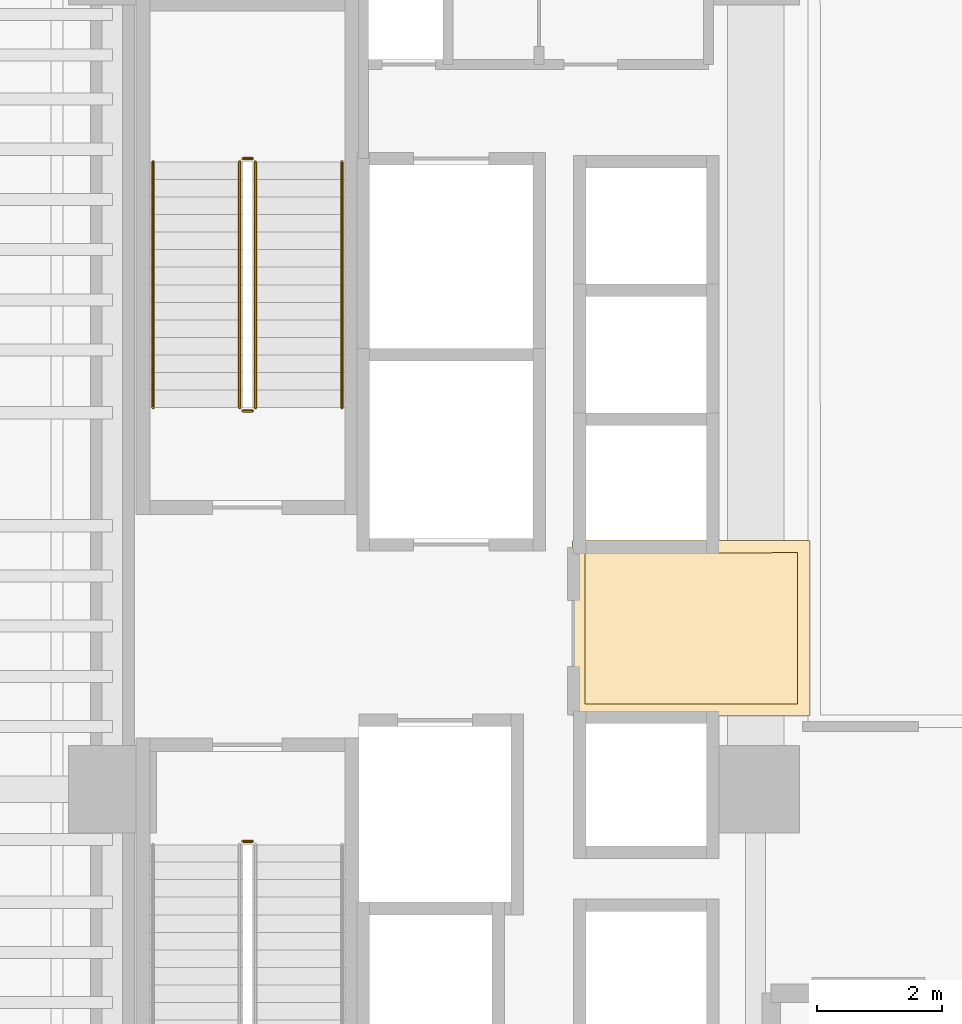
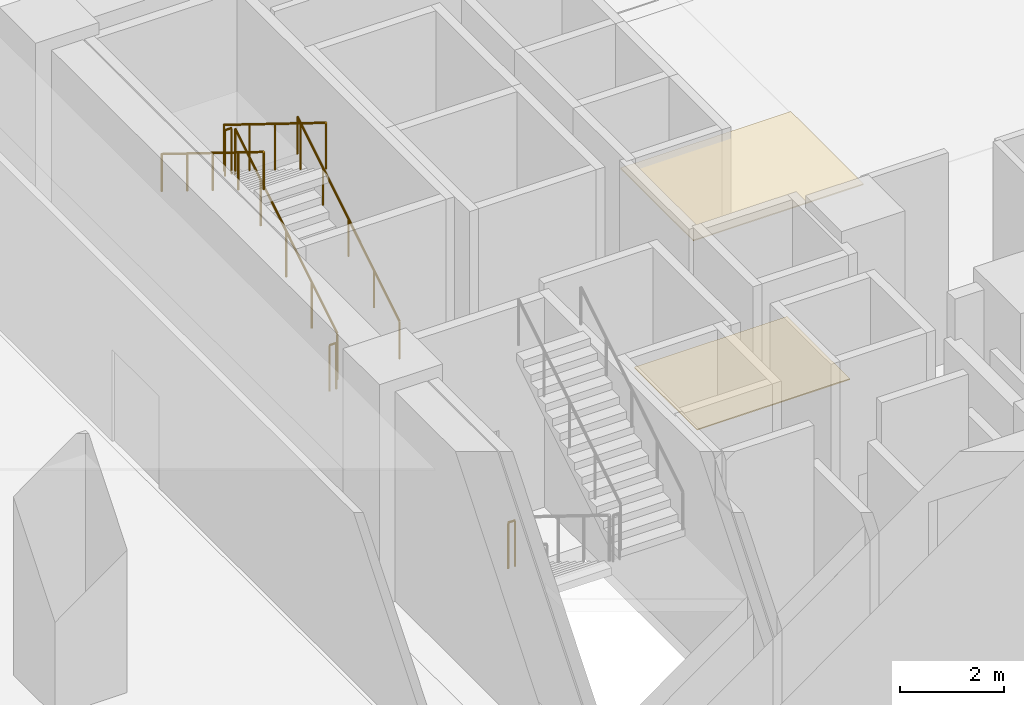
# One storey, part 33 of 39: 7 railings, 2 coverings.
"""IFC4 building model written with IfcOpenShell, lengths in metres."""

from ifc_helpers import new_model, si_unit, direction, frame, origin, origin_2d, place, context, subcontext, project, spatial, polyline, circle, outline, extrude, material, layer, layer_set, type_object, element, save


model = new_model("IFC4")

# Units and contexts
model_context = context("Model", 3, precision=1e-05, world=origin(), true_north=direction((0.0, 1.0)))
body_context = subcontext(model_context, "Body", "Model", "MODEL_VIEW")
ifc_project = project(units=[si_unit("LENGTHUNIT", "METRE"), si_unit("AREAUNIT", "SQUARE_METRE"), si_unit("VOLUMEUNIT", "CUBIC_METRE"), si_unit("PLANEANGLEUNIT", "RADIAN"), si_unit("MASSUNIT", "GRAM", prefix="KILO")], contexts=[model_context])

# Site, building, storey
site_placement = place(None, origin())
site = spatial("IfcSite", under=ifc_project, at=site_placement, CompositionType="ELEMENT")
building_placement = place(site_placement, origin())
building = spatial("IfcBuilding", under=site, at=building_placement, Name="Valdorenza Pilgrim Sanctuary Tower", CompositionType="ELEMENT")
storey_placement = place(building_placement, frame((0.0, 0.0, 10.39990234375)))
storey = spatial("IfcBuildingStorey", under=building, at=storey_placement, Name="L02", CompositionType="ELEMENT", Elevation=10.39990234375)

# Coverings
ifc_material_1 = material(Name="Micro-perforated acoustic mineral ceiling tile", Category="gypsum")
ifc_layer_1 = layer(ifc_material_1, 0.02490234375, Name="Micro-perforated acoustic mineral ceiling tile")
ifc_layer_set_1 = layer_set([ifc_layer_1], Name="Micro-perforated acoustic mineral ceiling tile")
covering_type_1 = type_object("IfcCoveringType", Name="COV-CLG-ACU", PredefinedType="CEILING", material=ifc_layer_set_1)
covering_1_placement = place(storey_placement, frame((0.0, 0.0, 4.6201171875)))
element("IfcCovering", 1, at=covering_1_placement, inside=storey, type_object=covering_type_1, Name="L02 Core A Passenger Lift Lobby Acoustic Ceiling", PredefinedType="CEILING", context=body_context, shape_type="SweptSolid", body=[
    extrude(outline(polyline([(-15.31298828125, 1.244384765625), (-15.31298828125, 1.24462890625), (-15.313720703125, 1.24609375), (-15.314208984375, 1.24755859375), (-15.314697265625, 1.2490234375), (-15.31494140625, 1.25048828125), (-15.31494140625, 1.251953125), (-15.31494140625, 1.35009765625), (-15.31494140625, 1.3515625), (-15.314697265625, 1.352783203125), (-15.314453125, 1.3544921875), (-15.31396484375, 1.355712890625), (-15.313232421875, 1.357177734375), (-15.3125, 1.3583984375), (-15.3115234375, 1.359619140625), (-15.310546875, 1.360595703125), (-15.3095703125, 1.361572265625), (-15.308349609375, 1.362548828125), (-15.30712890625, 1.36328125), (-15.3056640625, 1.364013671875), (-15.304443359375, 1.364501953125), (-15.302978515625, 1.36474609375), (-15.301513671875, 1.364990234375), (-15.300048828125, 1.364990234375), (-15.10205078125, 1.364990234375), (-15.1005859375, 1.364990234375), (-15.09912109375, 1.36474609375), (-15.097412109375, 1.3642578125), (-15.09619140625, 1.36376953125), (-15.0947265625, 1.363037109375), (-15.094482421875, 1.363037109375), (-13.185546875, 1.363037109375), (-13.185302734375, 1.363037109375), (-13.183837890625, 1.36376953125), (-13.1826171875, 1.3642578125), (-13.180908203125, 1.36474609375), (-13.179443359375, 1.364990234375), (-13.177978515625, 1.364990234375), (-11.550048828125, 1.364990234375), (-11.548583984375, 1.364990234375), (-11.547119140625, 1.36474609375), (-11.545654296875, 1.364501953125), (-11.544189453125, 1.364013671875), (-11.54296875, 1.36328125), (-11.541748046875, 1.362548828125), (-11.54052734375, 1.361572265625), (-11.539306640625, 1.360595703125), (-11.538330078125, 1.359619140625), (-11.53759765625, 1.3583984375), (-11.536865234375, 1.357177734375), (-11.5361328125, 1.355712890625), (-11.53564453125, 1.3544921875), (-11.535400390625, 1.352783203125), (-11.53515625, 1.3515625), (-11.534912109375, 1.35009765625), (-11.534912109375, -1.419921875), (-11.53515625, -1.42138671875), (-11.535400390625, -1.4228515625), (-11.53564453125, -1.42431640625), (-11.5361328125, -1.42578125), (-11.536865234375, -1.427001953125), (-11.53759765625, -1.42822265625), (-11.538330078125, -1.429443359375), (-11.539306640625, -1.4306640625), (-11.54052734375, -1.431640625), (-11.541748046875, -1.4326171875), (-11.54296875, -1.43310546875), (-11.544189453125, -1.433837890625), (-11.545654296875, -1.434326171875), (-11.547119140625, -1.434814453125), (-11.548583984375, -1.434814453125), (-11.550048828125, -1.43505859375), (-15.298095703125, -1.43505859375), (-15.299560546875, -1.434814453125), (-15.30078125, -1.434814453125), (-15.302490234375, -1.434326171875), (-15.3037109375, -1.433837890625), (-15.30517578125, -1.43310546875), (-15.306396484375, -1.4326171875), (-15.3076171875, -1.431640625), (-15.30859375, -1.4306640625), (-15.3095703125, -1.429443359375), (-15.310546875, -1.42822265625), (-15.311279296875, -1.427001953125), (-15.31201171875, -1.42578125), (-15.3125, -1.42431640625), (-15.312744140625, -1.4228515625), (-15.31298828125, -1.42138671875), (-15.31298828125, -1.419921875), (-15.31298828125, 1.244384765625)])), origin(), (0.0, 0.0, 1.0), 0.02490234375),
])
ifc_material_2 = material(Name="Honed travertine stone flooring", Category="masonry")
ifc_layer_2 = layer(ifc_material_2, 0.030029296875, Name="Honed travertine stone flooring")
ifc_layer_set_2 = layer_set([ifc_layer_2], Name="Honed travertine stone flooring")
covering_type_2 = type_object("IfcCoveringType", Name="COV-FLR-TRV", PredefinedType="FLOORING", material=ifc_layer_set_2)
covering_2_placement = place(storey_placement, origin())
element("IfcCovering", 2, at=covering_2_placement, inside=storey, type_object=covering_type_2, Name="L02 Core A Passenger Lift Lobby Flooring", PredefinedType="FLOORING", context=body_context, shape_type="SweptSolid", body=[
    extrude(outline(polyline([(-15.117919921875, 1.169189453125), (-15.10888671875, 1.168212890625), (-15.10888671875, 1.168212890625), (-15.10009765625, 1.16796875), (-13.179931640625, 1.16796875), (-13.1796875, 1.16796875), (-11.72998046875, 1.169921875), (-11.72998046875, -1.239990234375), (-15.117919921875, -1.239990234375), (-15.117919921875, 1.169189453125)])), origin(), (0.0, 0.0, 1.0), 0.025146484375),
])

# Railings
ifc_material_3 = material(Name="Stainless steel Grade 316", Category="steel")
railing_type_1 = type_object("IfcRailingType", Name="RLG-GRD-1120", PredefinedType="GUARDRAIL", material=ifc_material_3)
railing_1_placement = place(storey_placement, frame((-20.3701171875, 3.47998046875, 0.17333984375)))
element("IfcRailing", 3, at=railing_1_placement, inside=storey, type_object=railing_type_1, Name="L02 ST-A1 stair guard 1", PredefinedType="GUARDRAIL", context=body_context, shape_type="SweptSolid", body=[
    extrude(circle(Radius=0.02392578125, at=origin_2d()), frame((0.0, 0.0, 1.076171875), z_axis=(0.0, 0.850251603719, 0.526376491091), x_axis=(-1.0, 0.0, 0.0)), (0.0, 0.0, 1.0), 4.6103515625),
    extrude(circle(Radius=0.02099609375, at=origin_2d()), origin(), (0.0, 0.0, 1.0), 1.052001953125),
    extrude(circle(Radius=0.02099609375, at=origin_2d()), frame((0.0, 0.97998046875, 0.606689453125)), (0.0, 0.0, 1.0), 1.052001953125),
    extrude(circle(Radius=0.02099609375, at=origin_2d()), frame((0.0, 1.9599609375, 1.21337890625)), (0.0, 0.0, 1.0), 1.052001953125),
    extrude(circle(Radius=0.02099609375, at=origin_2d()), frame((0.0, 2.93994140625, 1.820068359375)), (0.0, 0.0, 1.0), 1.052001953125),
    extrude(circle(Radius=0.02099609375, at=origin_2d()), frame((0.0, 3.919921875, 2.4267578125)), (0.0, 0.0, 1.0), 1.052001953125),
])
railing_2_placement = place(storey_placement, frame((-20.419921875, 7.449951171875, 2.60009765625)))
element("IfcRailing", 4, at=railing_2_placement, inside=storey, type_object=railing_type_1, Name="L02 ST-A1 stair guard 2", PredefinedType="GUARDRAIL", context=body_context, shape_type="SweptSolid", body=[
    extrude(circle(Radius=0.02392578125, at=origin_2d()), frame((0.0, 0.0, 1.076171875), z_axis=(-1.0, 0.0, 0.0), x_axis=(0.0, -1.0, 0.0)), (0.0, 0.0, 1.0), 0.150146484375),
    extrude(circle(Radius=0.02099609375, at=origin_2d()), origin(), (0.0, 0.0, 1.0), 1.052001953125),
    extrude(circle(Radius=0.02099609375, at=origin_2d()), frame((-0.150146484375, 0.0, 0.0)), (0.0, 0.0, 1.0), 1.052001953125),
])
railing_3_placement = place(storey_placement, frame((-20.6201171875, 7.39990234375, 2.7734375)))
element("IfcRailing", 5, at=railing_3_placement, inside=storey, type_object=railing_type_1, Name="L02 ST-A1 stair guard 3", PredefinedType="GUARDRAIL", context=body_context, shape_type="SweptSolid", body=[
    extrude(circle(Radius=0.02392578125, at=origin_2d()), frame((0.0, 0.0, 1.076171875), z_axis=(0.0, -0.850251603719, 0.526376491091), x_axis=(1.0, 0.0, 0.0)), (0.0, 0.0, 1.0), 4.6103515625),
    extrude(circle(Radius=0.02099609375, at=origin_2d()), origin(), (0.0, 0.0, 1.0), 1.052001953125),
    extrude(circle(Radius=0.02099609375, at=origin_2d()), frame((0.0, -0.97998046875, 0.606689453125)), (0.0, 0.0, 1.0), 1.052001953125),
    extrude(circle(Radius=0.02099609375, at=origin_2d()), frame((0.0, -1.9599609375, 1.21337890625)), (0.0, 0.0, 1.0), 1.052001953125),
    extrude(circle(Radius=0.02099609375, at=origin_2d()), frame((0.0, -2.93994140625, 1.820068359375)), (0.0, 0.0, 1.0), 1.052001953125),
    extrude(circle(Radius=0.02099609375, at=origin_2d()), frame((0.0, -3.919921875, 2.4267578125)), (0.0, 0.0, 1.0), 1.052001953125),
])
railing_4_placement = place(storey_placement, frame((-20.419921875, 3.429931640625, 0.0)))
element("IfcRailing", 6, at=railing_4_placement, inside=storey, type_object=railing_type_1, Name="L02 ST-A1 stair guard 4", PredefinedType="GUARDRAIL", context=body_context, shape_type="SweptSolid", body=[
    extrude(circle(Radius=0.02392578125, at=origin_2d()), frame((0.0, 0.0, 1.076171875), z_axis=(-1.0, 0.0, 0.0), x_axis=(0.0, -1.0, 0.0)), (0.0, 0.0, 1.0), 0.150146484375),
    extrude(circle(Radius=0.02099609375, at=origin_2d()), origin(), (0.0, 0.0, 1.0), 1.052001953125),
    extrude(circle(Radius=0.02099609375, at=origin_2d()), frame((-0.150146484375, 0.0, 0.0)), (0.0, 0.0, 1.0), 1.052001953125),
])
railing_5_placement = place(storey_placement, frame((-20.570068359375, -3.429931640625, 0.0)))
element("IfcRailing", 7, at=railing_5_placement, inside=storey, type_object=railing_type_1, Name="L02 ST-A2 stair guard 4", PredefinedType="GUARDRAIL", context=body_context, shape_type="SweptSolid", body=[
    extrude(circle(Radius=0.02392578125, at=origin_2d()), frame((0.0, 0.0, 1.076171875), z_axis=(1.0, 0.0, 0.0), x_axis=(0.0, 1.0, 0.0)), (0.0, 0.0, 1.0), 0.150146484375),
    extrude(circle(Radius=0.02099609375, at=origin_2d()), origin(), (0.0, 0.0, 1.0), 1.052001953125),
    extrude(circle(Radius=0.02099609375, at=origin_2d()), frame((0.150146484375, 0.0, 0.0)), (0.0, 0.0, 1.0), 1.052001953125),
])
ifc_material_4 = material(Name="Brushed stainless steel Grade 316", Category="steel")
railing_type_2 = type_object("IfcRailingType", Name="RLG-HND-920", PredefinedType="HANDRAIL", material=ifc_material_4)
railing_6_placement = place(storey_placement, frame((-18.989990234375, 3.47998046875, 0.17333984375)))
element("IfcRailing", 8, at=railing_6_placement, inside=storey, type_object=railing_type_2, Name="L02 ST-A1 stair handrail 1", PredefinedType="HANDRAIL", context=body_context, shape_type="SweptSolid", body=[
    extrude(circle(Radius=0.02392578125, at=origin_2d()), frame((0.0, 0.0, 0.8759765625), z_axis=(0.0, 0.850251603719, 0.526376491091), x_axis=(-1.0, 0.0, 0.0)), (0.0, 0.0, 1.0), 4.6103515625),
    extrude(circle(Radius=0.02099609375, at=origin_2d()), origin(), (0.0, 0.0, 1.0), 0.851806640625),
    extrude(circle(Radius=0.02099609375, at=origin_2d()), frame((0.0, 0.97998046875, 0.606689453125)), (0.0, 0.0, 1.0), 0.851806640625),
    extrude(circle(Radius=0.02099609375, at=origin_2d()), frame((0.0, 1.9599609375, 1.21337890625)), (0.0, 0.0, 1.0), 0.851806640625),
    extrude(circle(Radius=0.02099609375, at=origin_2d()), frame((0.0, 2.93994140625, 1.820068359375)), (0.0, 0.0, 1.0), 0.851806640625),
    extrude(circle(Radius=0.02099609375, at=origin_2d()), frame((0.0, 3.919921875, 2.4267578125)), (0.0, 0.0, 1.0), 0.851806640625),
])
railing_7_placement = place(storey_placement, frame((-22.0, 7.39990234375, 2.7734375)))
element("IfcRailing", 9, at=railing_7_placement, inside=storey, type_object=railing_type_2, Name="L02 ST-A1 stair handrail 2", PredefinedType="HANDRAIL", context=body_context, shape_type="SweptSolid", body=[
    extrude(circle(Radius=0.02392578125, at=origin_2d()), frame((0.0, 0.0, 0.8759765625), z_axis=(0.0, -0.850251603719, 0.526376491091), x_axis=(1.0, 0.0, 0.0)), (0.0, 0.0, 1.0), 4.6103515625),
    extrude(circle(Radius=0.02099609375, at=origin_2d()), origin(), (0.0, 0.0, 1.0), 0.851806640625),
    extrude(circle(Radius=0.02099609375, at=origin_2d()), frame((0.0, -0.97998046875, 0.606689453125)), (0.0, 0.0, 1.0), 0.851806640625),
    extrude(circle(Radius=0.02099609375, at=origin_2d()), frame((0.0, -1.9599609375, 1.21337890625)), (0.0, 0.0, 1.0), 0.851806640625),
    extrude(circle(Radius=0.02099609375, at=origin_2d()), frame((0.0, -2.93994140625, 1.820068359375)), (0.0, 0.0, 1.0), 0.851806640625),
    extrude(circle(Radius=0.02099609375, at=origin_2d()), frame((0.0, -3.919921875, 2.4267578125)), (0.0, 0.0, 1.0), 0.851806640625),
])

save(model, "model.ifc")
